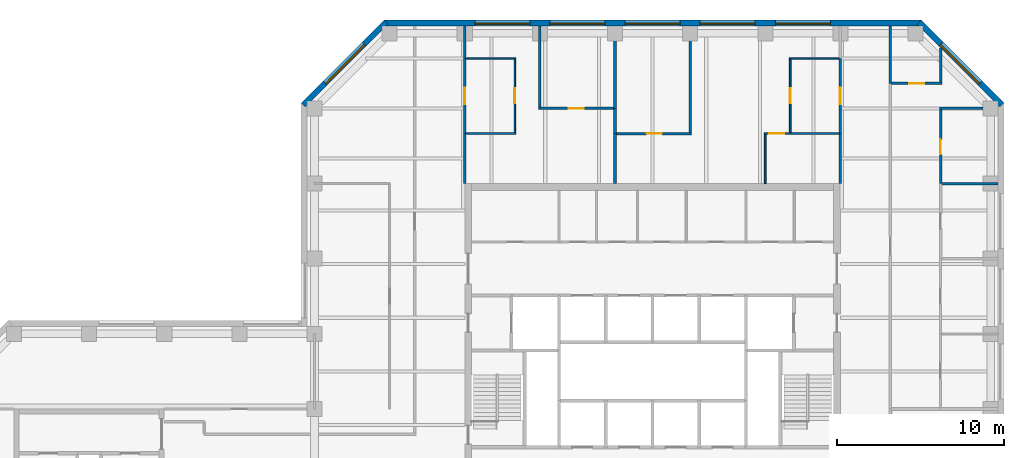
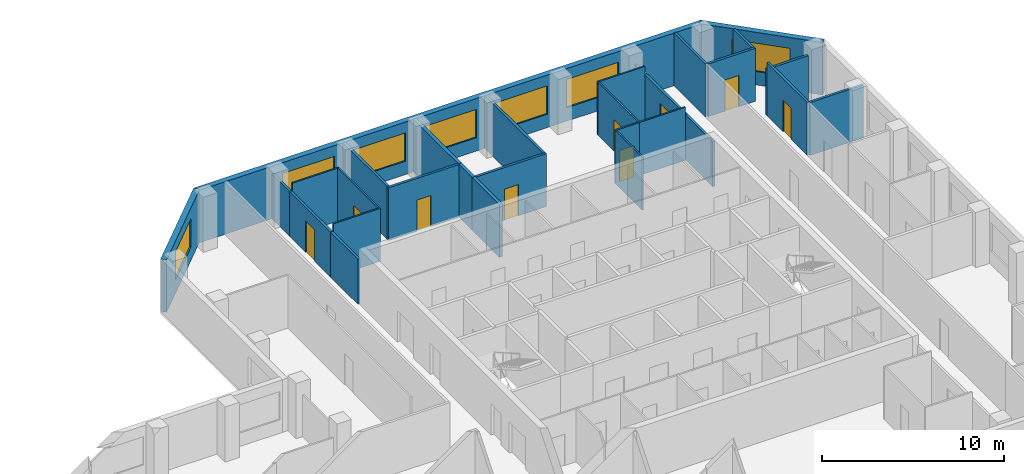
# One storey, part 7 of 9: 29 walls, 9 doors, 7 windows, 16 openings.
"""IFC4 building model written with IfcOpenShell, lengths in metres."""

from ifc_helpers import new_model, si_unit, direction, frame, frame_2d, origin, place, context, subcontext, project, spatial, rectangle, extrude, material, layer, layer_set, constituent, constituent_set, type_object, element, fill, save


model = new_model("IFC4")

# Units and contexts
model_context = context("Model", 3, precision=1e-05, world=origin(), true_north=direction((0.0, 1.0)))
body_context = subcontext(model_context, "Body", "Model", "MODEL_VIEW")
ifc_project = project(units=[si_unit("LENGTHUNIT", "METRE"), si_unit("AREAUNIT", "SQUARE_METRE"), si_unit("VOLUMEUNIT", "CUBIC_METRE"), si_unit("PLANEANGLEUNIT", "RADIAN"), si_unit("MASSUNIT", "GRAM", prefix="KILO")], contexts=[model_context])

# Site, building, storey
site_placement = place(None, origin())
site = spatial("IfcSite", under=ifc_project, at=site_placement, CompositionType="ELEMENT")
building_placement = place(site_placement, origin())
building = spatial("IfcBuilding", under=site, at=building_placement, Name="Quoin Convention Tower", CompositionType="ELEMENT")
storey_placement = place(building_placement, frame((0.0, 0.0, 226.699951171875)))
storey = spatial("IfcBuildingStorey", under=building, at=storey_placement, Name="L59", CompositionType="ELEMENT", Elevation=226.699951171875)

# Wall
ifc_material_1 = material(Name="Plasterboard")
ifc_layer_1 = layer(ifc_material_1, 0.012451171875, Name="Finish")
ifc_material_2 = material(Name="Steel stud framing", Category="steel")
ifc_layer_2 = layer(ifc_material_2, 0.125, Name="Structure")
ifc_layer_3 = layer(ifc_material_1, 0.012451171875, Name="Finish")
ifc_layer_set_1 = layer_set([ifc_layer_1, ifc_layer_2, ifc_layer_3], Name="Steel stud framing")
wall_type_1 = type_object("IfcWallType", Name="Acoustic partition 150", PredefinedType="PARTITIONING", material=ifc_layer_set_1)
wall_1_placement = place(storey_placement, frame((73.574951171875, 72.0, 0.0), z_axis=(0.0, 0.0, 1.0), x_axis=(1.0, 0.0, 0.0)))
element("IfcWall", 1, at=wall_1_placement, inside=storey, type_object=wall_type_1, Name="pw-L59-023", PredefinedType="PARTITIONING", context=body_context, shape_type="SweptSolid", body=[
    extrude(rectangle(XDim=3.375, YDim=0.14990234375, at=frame_2d((1.6875, 0.0))), origin(), (0.0, 0.0, 1.0), 3.550048828125),
])

# Wall, opening, door
wall_2_placement = place(storey_placement, frame((54.10009765625, 75.0, 0.0), z_axis=(0.0, 0.0, 1.0), x_axis=(1.0, 0.0, 0.0)))
wall_2 = element("IfcWall", 2, at=wall_2_placement, inside=storey, type_object=wall_type_1, Name="pw-L59-025", PredefinedType="PARTITIONING", context=body_context, shape_type="SweptSolid", body=[
    extrude(rectangle(XDim=4.474853515625, YDim=0.14990234375, at=frame_2d((2.2373046875, 0.0))), origin(), (0.0, 0.0, 1.0), 3.550048828125),
])
opening_1_placement = place(wall_2_placement, frame((1.800048828125, 0.0, 0.0)))
opening_1 = element("IfcOpeningElement", 3, at=opening_1_placement, cuts=wall_2, Name="Opening DOH10-04", PredefinedType="OPENING", context=body_context, shape_type="SweptSolid", body=[
    extrude(rectangle(XDim=0.89990234375, YDim=2.10009765625, at=frame_2d((0.449951171875, 1.050048828125))), frame((0.0, 0.0849609375, 0.0), z_axis=(0.0, -1.0, 0.0), x_axis=(1.0, 0.0, 0.0)), (0.0, 0.0, 1.0), 0.169921875),
])
ifc_material_3 = material(Name="Steel door leaf", Category="steel")
door_type_1 = type_object("IfcDoorType", Name="Office door 900 x 2100", OperationType="SINGLE_SWING_RIGHT", PredefinedType="DOOR", material=ifc_material_3)
door_1_placement = place(opening_1_placement, frame((0.89990234375, 0.0, 0.0), z_axis=(0.0, 0.0, 1.0), x_axis=(-1.0, 0.0, 0.0)))
door_1 = element("IfcDoor", 4, at=door_1_placement, inside=storey, type_object=door_type_1, Name="dr-L59-20", OperationType="SINGLE_SWING_LEFT", OverallHeight=2.10009765625, OverallWidth=0.89990234375, PredefinedType="DOOR", context=body_context, shape_type="SweptSolid", body=[
    extrude(rectangle(XDim=0.89990234375, YDim=2.10009765625, at=frame_2d((0.449951171875, 1.050048828125))), frame((0.0, 0.02490234375, 0.0), z_axis=(0.0, -1.0, 0.0), x_axis=(1.0, 0.0, 0.0)), (0.0, 0.0, 1.0), 0.050048828125),
])
fill(opening_1, door_1)

wall_3_placement = place(storey_placement, frame((49.425048828125, 76.5, 0.0), z_axis=(0.0, 0.0, 1.0), x_axis=(1.0, 0.0, 0.0)))
wall_3 = element("IfcWall", 5, at=wall_3_placement, inside=storey, type_object=wall_type_1, Name="pw-L59-028", PredefinedType="PARTITIONING", context=body_context, shape_type="SweptSolid", body=[
    extrude(rectangle(XDim=4.474853515625, YDim=0.14990234375, at=frame_2d((2.2373046875, 0.0))), origin(), (0.0, 0.0, 1.0), 3.550048828125),
])
opening_2_placement = place(wall_3_placement, frame((1.800048828125, 0.0, 0.0)))
opening_2 = element("IfcOpeningElement", 6, at=opening_2_placement, cuts=wall_3, Name="Opening DOH10-06", PredefinedType="OPENING", context=body_context, shape_type="SweptSolid", body=[
    extrude(rectangle(XDim=0.89990234375, YDim=2.10009765625, at=frame_2d((0.449951171875, 1.050048828125))), frame((0.0, 0.0849609375, 0.0), z_axis=(0.0, -1.0, 0.0), x_axis=(1.0, 0.0, 0.0)), (0.0, 0.0, 1.0), 0.169921875),
])
door_2_placement = place(opening_2_placement, frame((0.89990234375, 0.0, 0.0), z_axis=(0.0, 0.0, 1.0), x_axis=(-1.0, 0.0, 0.0)))
door_2 = element("IfcDoor", 7, at=door_2_placement, inside=storey, type_object=door_type_1, Name="dr-L59-17", OperationType="SINGLE_SWING_LEFT", OverallHeight=2.10009765625, OverallWidth=0.89990234375, PredefinedType="DOOR", context=body_context, shape_type="SweptSolid", body=[
    extrude(rectangle(XDim=0.89990234375, YDim=2.10009765625, at=frame_2d((0.449951171875, 1.050048828125))), frame((0.0, 0.02490234375, 0.0), z_axis=(0.0, -1.0, 0.0), x_axis=(1.0, 0.0, 0.0)), (0.0, 0.0, 1.0), 0.050048828125),
])
fill(opening_2, door_2)

wall_4_placement = place(storey_placement, frame((73.5, 72.0, 0.0), z_axis=(0.0, 0.0, 1.0), x_axis=(0.0, 1.0, 0.0)))
wall_4 = element("IfcWall", 8, at=wall_4_placement, inside=storey, type_object=wall_type_1, Name="pw-L59-070", PredefinedType="PARTITIONING", context=body_context, shape_type="SweptSolid", body=[
    extrude(rectangle(XDim=4.425048828125, YDim=0.14990234375, at=frame_2d((2.21240234375, 0.0))), origin(), (0.0, 0.0, 1.0), 3.550048828125),
])
opening_3_placement = place(wall_4_placement, frame((1.75, 0.0, 0.0)))
opening_3 = element("IfcOpeningElement", 9, at=opening_3_placement, cuts=wall_4, Name="Opening DOH10-19", PredefinedType="OPENING", context=body_context, shape_type="SweptSolid", body=[
    extrude(rectangle(XDim=0.89990234375, YDim=2.10009765625, at=frame_2d((0.449951171875, 1.050048828125))), frame((0.0, 0.0849609375, 0.0), z_axis=(0.0, -1.0, 0.0), x_axis=(1.0, 0.0, 0.0)), (0.0, 0.0, 1.0), 0.169921875),
])
door_3_placement = place(opening_3_placement, origin())
door_3 = element("IfcDoor", 10, at=door_3_placement, inside=storey, type_object=door_type_1, Name="dr-L59-30", OperationType="SINGLE_SWING_RIGHT", OverallHeight=2.10009765625, OverallWidth=0.89990234375, PredefinedType="DOOR", context=body_context, shape_type="SweptSolid", body=[
    extrude(rectangle(XDim=0.89990234375, YDim=2.10009765625, at=frame_2d((0.449951171875, 1.050048828125))), frame((0.0, 0.02490234375, 0.0), z_axis=(0.0, -1.0, 0.0), x_axis=(1.0, 0.0, 0.0)), (0.0, 0.0, 1.0), 0.050048828125),
])
fill(opening_3, door_3)

# Walls
wall_5_placement = place(storey_placement, frame((58.5, 75.074951171875, 0.0), z_axis=(0.0, 0.0, 1.0), x_axis=(0.0, 1.0, 0.0)))
element("IfcWall", 11, at=wall_5_placement, inside=storey, type_object=wall_type_1, Name="pw-L59-076", PredefinedType="PARTITIONING", context=body_context, shape_type="SweptSolid", body=[
    extrude(rectangle(XDim=6.375, YDim=0.14990234375, at=frame_2d((3.1875, 0.0))), origin(), (0.0, 0.0, 1.0), 3.550048828125),
])
wall_6_placement = place(storey_placement, frame((49.5, 76.574951171875, 0.0), z_axis=(0.0, 0.0, 1.0), x_axis=(0.0, 1.0, 0.0)))
element("IfcWall", 12, at=wall_6_placement, inside=storey, type_object=wall_type_1, Name="pw-L59-078", PredefinedType="PARTITIONING", context=body_context, shape_type="SweptSolid", body=[
    extrude(rectangle(XDim=4.875, YDim=0.14990234375, at=frame_2d((2.4375, 0.0))), origin(), (0.0, 0.0, 1.0), 3.550048828125),
])
ifc_layer_4 = layer(ifc_material_1, 0.012451171875, Name="Finish")
ifc_layer_5 = layer(ifc_material_2, 0.125, Name="Structure")
ifc_layer_6 = layer(ifc_material_1, 0.012451171875, Name="Finish")
ifc_layer_set_2 = layer_set([ifc_layer_4, ifc_layer_5, ifc_layer_6], Name="Steel stud framing")
wall_type_2 = type_object("IfcWallType", Name="Acoustic partition 150 under beam 454", PredefinedType="PARTITIONING", material=ifc_layer_set_2)
wall_7_placement = place(storey_placement, frame((73.425048828125, 76.5, 0.0), z_axis=(0.0, 0.0, 1.0), x_axis=(1.0, 0.0, 0.0)))
element("IfcWall", 13, at=wall_7_placement, inside=storey, type_object=wall_type_2, Name="pw-L59-029", PredefinedType="PARTITIONING", context=body_context, shape_type="SweptSolid", body=[
    extrude(rectangle(XDim=2.625, YDim=0.14990234375, at=frame_2d((1.3125, 0.0))), origin(), (0.0, 0.0, 1.0), 3.095947265625),
])

# Wall, opening, window
ifc_material_4 = material(Name="Brick masonry", Category="masonry")
ifc_layer_7 = layer(ifc_material_4, 0.35009765625)
ifc_layer_set_3 = layer_set([ifc_layer_7], Name="Brick masonry")
wall_type_3 = type_object("IfcWallType", Name="Brick facade wall", PredefinedType="STANDARD", material=ifc_layer_set_3)
wall_8_placement = place(storey_placement, frame((77.17626953125, 76.70751953125, 0.0), z_axis=(0.0, 0.0, 1.0), x_axis=(-0.707106781187, 0.707106781187, 0.0)))
wall_8 = element("IfcWall", 14, at=wall_8_placement, inside=storey, type_object=wall_type_3, Name="fw-L59-76500_76500", PredefinedType="STANDARD", context=body_context, shape_type="SweptSolid", body=[
    extrude(rectangle(XDim=7.02685546875, YDim=0.35009765625, at=frame_2d((3.513427734375, 0.0))), origin(), (0.0, 0.0, 1.0), 3.525146484375),
])
opening_4_placement = place(wall_8_placement, frame((1.86328125, 0.0, 0.89990234375)))
opening_4 = element("IfcOpeningElement", 15, at=opening_4_placement, cuts=wall_8, Name="Opening W-02", PredefinedType="OPENING", context=body_context, shape_type="SweptSolid", body=[
    extrude(rectangle(XDim=3.300048828125, YDim=1.89990234375, at=frame_2d((1.64990234375, 0.949951171875))), frame((0.0, 0.18505859375, 0.0), z_axis=(0.0, -1.0, 0.0), x_axis=(1.0, 0.0, 0.0)), (0.0, 0.0, 1.0), 0.3701171875),
])
ifc_material_5 = material(Name="Aluminium", Category="aluminium")
ifc_constituent_1 = constituent(ifc_material_5, Name="Frame")
ifc_material_6 = material(Name="Insulated glass", Category="glass")
ifc_constituent_2 = constituent(ifc_material_6, Name="Glazing")
ifc_constituent_set = constituent_set(constituents=[ifc_constituent_1, ifc_constituent_2], Name="Aluminium")
window_type = type_object("IfcWindowType", Name="Office window", PartitioningType="DOUBLE_PANEL_VERTICAL", PredefinedType="WINDOW", material=ifc_constituent_set)
window_1_placement = place(opening_4_placement, origin())
window_1 = element("IfcWindow", 16, at=window_1_placement, inside=storey, type_object=window_type, Name="win-L59-74692_79192", OverallHeight=1.89990234375, OverallWidth=3.300048828125, PartitioningType="SINGLE_PANEL", PredefinedType="WINDOW", context=body_context, shape_type="SweptSolid", body=[
    extrude(rectangle(XDim=3.300048828125, YDim=1.89990234375, at=frame_2d((1.64990234375, 0.949951171875))), frame((0.0, 0.0849609375, 0.0), z_axis=(0.0, -1.0, 0.0), x_axis=(1.0, 0.0, 0.0)), (0.0, 0.0, 1.0), 0.06005859375),
])
fill(opening_4, window_1)

# Wall, openings, windows
wall_9_placement = place(storey_placement, frame((72.331298828125, 81.625, 0.0), z_axis=(0.0, 0.0, 1.0), x_axis=(-1.0, 0.0, 0.0)))
wall_9 = element("IfcWall", 17, at=wall_9_placement, inside=storey, type_object=wall_type_3, Name="fw-L59-72000_81000", PredefinedType="STANDARD", context=body_context, shape_type="SweptSolid", body=[
    extrude(rectangle(XDim=32.16259765625, YDim=0.35009765625, at=frame_2d((16.081298828125, 0.0))), origin(), (0.0, 0.0, 1.0), 3.525146484375),
])
opening_5_placement = place(wall_9_placement, frame((5.431396484375, 0.0, 0.89990234375)))
opening_5 = element("IfcOpeningElement", 18, at=opening_5_placement, cuts=wall_9, Name="Opening W-02", PredefinedType="OPENING", context=body_context, shape_type="SweptSolid", body=[
    extrude(rectangle(XDim=3.300048828125, YDim=1.89990234375, at=frame_2d((1.64990234375, 0.949951171875))), frame((0.0, 0.18505859375, 0.0), z_axis=(0.0, -1.0, 0.0), x_axis=(1.0, 0.0, 0.0)), (0.0, 0.0, 1.0), 0.3701171875),
])
opening_6_placement = place(wall_9_placement, frame((9.931396484375, 0.0, 0.89990234375)))
opening_6 = element("IfcOpeningElement", 19, at=opening_6_placement, cuts=wall_9, Name="Opening W-02", PredefinedType="OPENING", context=body_context, shape_type="SweptSolid", body=[
    extrude(rectangle(XDim=3.300048828125, YDim=1.89990234375, at=frame_2d((1.64990234375, 0.949951171875))), frame((0.0, 0.18505859375, 0.0), z_axis=(0.0, -1.0, 0.0), x_axis=(1.0, 0.0, 0.0)), (0.0, 0.0, 1.0), 0.3701171875),
])
opening_7_placement = place(wall_9_placement, frame((14.431396484375, 0.0, 0.89990234375)))
opening_7 = element("IfcOpeningElement", 20, at=opening_7_placement, cuts=wall_9, Name="Opening W-02", PredefinedType="OPENING", context=body_context, shape_type="SweptSolid", body=[
    extrude(rectangle(XDim=3.300048828125, YDim=1.89990234375, at=frame_2d((1.64990234375, 0.949951171875))), frame((0.0, 0.18505859375, 0.0), z_axis=(0.0, -1.0, 0.0), x_axis=(1.0, 0.0, 0.0)), (0.0, 0.0, 1.0), 0.3701171875),
])
opening_8_placement = place(wall_9_placement, frame((18.931396484375, 0.0, 0.89990234375)))
opening_8 = element("IfcOpeningElement", 21, at=opening_8_placement, cuts=wall_9, Name="Opening W-02", PredefinedType="OPENING", context=body_context, shape_type="SweptSolid", body=[
    extrude(rectangle(XDim=3.300048828125, YDim=1.89990234375, at=frame_2d((1.64990234375, 0.949951171875))), frame((0.0, 0.18505859375, 0.0), z_axis=(0.0, -1.0, 0.0), x_axis=(1.0, 0.0, 0.0)), (0.0, 0.0, 1.0), 0.3701171875),
])
opening_9_placement = place(wall_9_placement, frame((23.431396484375, 0.0, 0.89990234375)))
opening_9 = element("IfcOpeningElement", 22, at=opening_9_placement, cuts=wall_9, Name="Opening W-02", PredefinedType="OPENING", context=body_context, shape_type="SweptSolid", body=[
    extrude(rectangle(XDim=3.300048828125, YDim=1.89990234375, at=frame_2d((1.64990234375, 0.949951171875))), frame((0.0, 0.18505859375, 0.0), z_axis=(0.0, -1.0, 0.0), x_axis=(1.0, 0.0, 0.0)), (0.0, 0.0, 1.0), 0.3701171875),
])
window_2_placement = place(opening_5_placement, origin())
window_2 = element("IfcWindow", 23, at=window_2_placement, inside=storey, type_object=window_type, Name="win-L59-65250_81625", OverallHeight=1.89990234375, OverallWidth=3.300048828125, PartitioningType="SINGLE_PANEL", PredefinedType="WINDOW", context=body_context, shape_type="SweptSolid", body=[
    extrude(rectangle(XDim=3.300048828125, YDim=1.89990234375, at=frame_2d((1.64990234375, 0.949951171875))), frame((0.0, 0.0849609375, 0.0), z_axis=(0.0, -1.0, 0.0), x_axis=(1.0, 0.0, 0.0)), (0.0, 0.0, 1.0), 0.06005859375),
])
fill(opening_5, window_2)
window_3_placement = place(opening_6_placement, origin())
window_3 = element("IfcWindow", 24, at=window_3_placement, inside=storey, type_object=window_type, Name="win-L59-60750_81625", OverallHeight=1.89990234375, OverallWidth=3.300048828125, PartitioningType="SINGLE_PANEL", PredefinedType="WINDOW", context=body_context, shape_type="SweptSolid", body=[
    extrude(rectangle(XDim=3.300048828125, YDim=1.89990234375, at=frame_2d((1.64990234375, 0.949951171875))), frame((0.0, 0.0849609375, 0.0), z_axis=(0.0, -1.0, 0.0), x_axis=(1.0, 0.0, 0.0)), (0.0, 0.0, 1.0), 0.06005859375),
])
fill(opening_6, window_3)
window_4_placement = place(opening_7_placement, origin())
window_4 = element("IfcWindow", 25, at=window_4_placement, inside=storey, type_object=window_type, Name="win-L59-56250_81625", OverallHeight=1.89990234375, OverallWidth=3.300048828125, PartitioningType="SINGLE_PANEL", PredefinedType="WINDOW", context=body_context, shape_type="SweptSolid", body=[
    extrude(rectangle(XDim=3.300048828125, YDim=1.89990234375, at=frame_2d((1.64990234375, 0.949951171875))), frame((0.0, 0.0849609375, 0.0), z_axis=(0.0, -1.0, 0.0), x_axis=(1.0, 0.0, 0.0)), (0.0, 0.0, 1.0), 0.06005859375),
])
fill(opening_7, window_4)
window_5_placement = place(opening_8_placement, origin())
window_5 = element("IfcWindow", 26, at=window_5_placement, inside=storey, type_object=window_type, Name="win-L59-51750_81625", OverallHeight=1.89990234375, OverallWidth=3.300048828125, PartitioningType="SINGLE_PANEL", PredefinedType="WINDOW", context=body_context, shape_type="SweptSolid", body=[
    extrude(rectangle(XDim=3.300048828125, YDim=1.89990234375, at=frame_2d((1.64990234375, 0.949951171875))), frame((0.0, 0.0849609375, 0.0), z_axis=(0.0, -1.0, 0.0), x_axis=(1.0, 0.0, 0.0)), (0.0, 0.0, 1.0), 0.06005859375),
])
fill(opening_8, window_5)
window_6_placement = place(opening_9_placement, origin())
window_6 = element("IfcWindow", 27, at=window_6_placement, inside=storey, type_object=window_type, Name="win-L59-47250_81625", OverallHeight=1.89990234375, OverallWidth=3.300048828125, PartitioningType="SINGLE_PANEL", PredefinedType="WINDOW", context=body_context, shape_type="SweptSolid", body=[
    extrude(rectangle(XDim=3.300048828125, YDim=1.89990234375, at=frame_2d((1.64990234375, 0.949951171875))), frame((0.0, 0.0849609375, 0.0), z_axis=(0.0, -1.0, 0.0), x_axis=(1.0, 0.0, 0.0)), (0.0, 0.0, 1.0), 0.06005859375),
])
fill(opening_9, window_6)

# Wall, opening, window
wall_10_placement = place(storey_placement, frame((40.29248046875, 81.67626953125, 0.0), z_axis=(0.0, 0.0, 1.0), x_axis=(-0.707106781187, -0.707106781187, 0.0)))
wall_10 = element("IfcWall", 28, at=wall_10_placement, inside=storey, type_object=wall_type_3, Name="fw-L59-40500_81000", PredefinedType="STANDARD", context=body_context, shape_type="SweptSolid", body=[
    extrude(rectangle(XDim=7.02685546875, YDim=0.35009765625, at=frame_2d((3.513427734375, 0.0))), origin(), (0.0, 0.0, 1.0), 3.525146484375),
])
opening_10_placement = place(wall_10_placement, frame((1.86328125, 0.0, 0.89990234375)))
opening_10 = element("IfcOpeningElement", 29, at=opening_10_placement, cuts=wall_10, Name="Opening W-02", PredefinedType="OPENING", context=body_context, shape_type="SweptSolid", body=[
    extrude(rectangle(XDim=3.300048828125, YDim=1.89990234375, at=frame_2d((1.64990234375, 0.949951171875))), frame((0.0, 0.18505859375, 0.0), z_axis=(0.0, -1.0, 0.0), x_axis=(1.0, 0.0, 0.0)), (0.0, 0.0, 1.0), 0.3701171875),
])
window_7_placement = place(opening_10_placement, origin())
window_7 = element("IfcWindow", 30, at=window_7_placement, inside=storey, type_object=window_type, Name="win-L59-37808_79192", OverallHeight=1.89990234375, OverallWidth=3.300048828125, PartitioningType="SINGLE_PANEL", PredefinedType="WINDOW", context=body_context, shape_type="SweptSolid", body=[
    extrude(rectangle(XDim=3.300048828125, YDim=1.89990234375, at=frame_2d((1.64990234375, 0.949951171875))), frame((0.0, 0.0849609375, 0.0), z_axis=(0.0, -1.0, 0.0), x_axis=(1.0, 0.0, 0.0)), (0.0, 0.0, 1.0), 0.06005859375),
])
fill(opening_10, window_7)

# Walls
ifc_layer_8 = layer(ifc_material_1, 0.012451171875, Name="Finish")
ifc_layer_9 = layer(ifc_material_2, 0.125, Name="Structure")
ifc_layer_10 = layer(ifc_material_1, 0.012451171875, Name="Finish")
ifc_layer_set_4 = layer_set([ifc_layer_8, ifc_layer_9, ifc_layer_10], Name="Steel stud framing")
wall_type_4 = type_object("IfcWallType", Name="Corridor wall 150", PredefinedType="PARTITIONING", material=ifc_layer_set_4)
wall_11_placement = place(storey_placement, frame((70.5, 78.0, 0.0), z_axis=(0.0, 0.0, 1.0), x_axis=(0.0, 1.0, 0.0)))
element("IfcWall", 31, at=wall_11_placement, inside=storey, type_object=wall_type_4, Name="pw-L59-079", PredefinedType="PARTITIONING", context=body_context, shape_type="SweptSolid", body=[
    extrude(rectangle(XDim=3.449951171875, YDim=0.14990234375, at=frame_2d((1.72509765625, 0.0))), origin(), (0.0, 0.0, 1.0), 3.550048828125),
])
ifc_layer_11 = layer(ifc_material_1, 0.012451171875, Name="Finish")
ifc_layer_12 = layer(ifc_material_2, 0.125, Name="Structure")
ifc_layer_13 = layer(ifc_material_1, 0.012451171875, Name="Finish")
ifc_layer_set_5 = layer_set([ifc_layer_11, ifc_layer_12, ifc_layer_13], Name="Steel stud framing")
wall_type_5 = type_object("IfcWallType", Name="Corridor wall 150 under beam 528", PredefinedType="PARTITIONING", material=ifc_layer_set_5)
for number, where, z_axis, x_axis, name in (
    (32, (45.0, 72.0, 0.0), (0.0, 0.0, 1.0), (0.0, 1.0, 0.0), "pw-L59-066"),
    (33, (67.5, 72.0, 0.0), (0.0, 0.0, 1.0), (0.0, 1.0, 0.0), "pw-L59-069"),
):
    element("IfcWall", number, at=place(storey_placement, frame(where, z_axis=z_axis, x_axis=x_axis)), inside=storey, type_object=wall_type_5, Name=name, PredefinedType="PARTITIONING", context=body_context, shape_type="SweptSolid", body=[
        extrude(rectangle(XDim=3.0, YDim=0.14990234375, at=frame_2d((1.5, 0.0))), origin(), (0.0, 0.0, 1.0), 3.02197265625),
    ])

# Wall, opening, door
wall_12_placement = place(storey_placement, frame((45.0, 75.0, 0.0), z_axis=(0.0, 0.0, 1.0), x_axis=(0.0, 1.0, 0.0)))
wall_12 = element("IfcWall", 34, at=wall_12_placement, inside=storey, type_object=wall_type_5, Name="pw-L59-071", PredefinedType="PARTITIONING", context=body_context, shape_type="SweptSolid", body=[
    extrude(rectangle(XDim=4.5, YDim=0.14990234375, at=frame_2d((2.25, 0.0))), origin(), (0.0, 0.0, 1.0), 3.02197265625),
])
opening_11_placement = place(wall_12_placement, frame((1.75, 0.0, 0.0)))
opening_11 = element("IfcOpeningElement", 35, at=opening_11_placement, cuts=wall_12, Name="Opening DOH10-20", PredefinedType="OPENING", context=body_context, shape_type="SweptSolid", body=[
    extrude(rectangle(XDim=1.0, YDim=2.10009765625, at=frame_2d((0.5, 1.050048828125))), frame((0.0, 0.0849609375, 0.0), z_axis=(0.0, -1.0, 0.0), x_axis=(1.0, 0.0, 0.0)), (0.0, 0.0, 1.0), 0.169921875),
])
door_type_2 = type_object("IfcDoorType", Name="Tenancy entrance door 1000 x 2100", OperationType="DOUBLE_DOOR_SINGLE_SWING", PredefinedType="DOOR", material=ifc_material_3)
door_4_placement = place(opening_11_placement, origin())
door_4 = element("IfcDoor", 36, at=door_4_placement, inside=storey, type_object=door_type_2, Name="dr-L59-15", OperationType="DOUBLE_DOOR_SINGLE_SWING", OverallHeight=2.10009765625, OverallWidth=1.0, PredefinedType="DOOR", context=body_context, shape_type="SweptSolid", body=[
    extrude(rectangle(XDim=1.0, YDim=2.10009765625, at=frame_2d((0.5, 1.050048828125))), frame((0.0, 0.02490234375, 0.0), z_axis=(0.0, -1.0, 0.0), x_axis=(1.0, 0.0, 0.0)), (0.0, 0.0, 1.0), 0.050048828125),
])
fill(opening_11, door_4)

wall_13_placement = place(storey_placement, frame((67.5, 75.0, 0.0), z_axis=(0.0, 0.0, 1.0), x_axis=(0.0, 1.0, 0.0)))
wall_13 = element("IfcWall", 37, at=wall_13_placement, inside=storey, type_object=wall_type_5, Name="pw-L59-073", PredefinedType="PARTITIONING", context=body_context, shape_type="SweptSolid", body=[
    extrude(rectangle(XDim=4.5, YDim=0.14990234375, at=frame_2d((2.25, 0.0))), origin(), (0.0, 0.0, 1.0), 3.02197265625),
])
opening_12_placement = place(wall_13_placement, frame((1.75, 0.0, 0.0)))
opening_12 = element("IfcOpeningElement", 38, at=opening_12_placement, cuts=wall_13, Name="Opening DOH10-21", PredefinedType="OPENING", context=body_context, shape_type="SweptSolid", body=[
    extrude(rectangle(XDim=1.0, YDim=2.10009765625, at=frame_2d((0.5, 1.050048828125))), frame((0.0, 0.0849609375, 0.0), z_axis=(0.0, -1.0, 0.0), x_axis=(1.0, 0.0, 0.0)), (0.0, 0.0, 1.0), 0.169921875),
])
door_5_placement = place(opening_12_placement, frame((1.0, 0.0, 0.0), z_axis=(0.0, 0.0, 1.0), x_axis=(-1.0, 0.0, 0.0)))
door_5 = element("IfcDoor", 39, at=door_5_placement, inside=storey, type_object=door_type_2, Name="dr-L59-18", OperationType="DOUBLE_DOOR_SINGLE_SWING", OverallHeight=2.10009765625, OverallWidth=1.0, PredefinedType="DOOR", context=body_context, shape_type="SweptSolid", body=[
    extrude(rectangle(XDim=1.0, YDim=2.10009765625, at=frame_2d((0.5, 1.050048828125))), frame((0.0, 0.02490234375, 0.0), z_axis=(0.0, -1.0, 0.0), x_axis=(1.0, 0.0, 0.0)), (0.0, 0.0, 1.0), 0.050048828125),
])
fill(opening_12, door_5)

# Walls
wall_14_placement = place(storey_placement, frame((45.0, 79.5, 0.0), z_axis=(0.0, 0.0, 1.0), x_axis=(0.0, 1.0, 0.0)))
element("IfcWall", 40, at=wall_14_placement, inside=storey, type_object=wall_type_5, Name="pw-L59-081", PredefinedType="PARTITIONING", context=body_context, shape_type="SweptSolid", body=[
    extrude(rectangle(XDim=1.949951171875, YDim=0.14990234375, at=frame_2d((0.97509765625, 0.0))), origin(), (0.0, 0.0, 1.0), 3.02197265625),
])
ifc_layer_14 = layer(ifc_material_1, 0.012451171875, Name="Finish")
ifc_layer_15 = layer(ifc_material_2, 0.074951171875, Name="Structure")
ifc_layer_16 = layer(ifc_material_1, 0.012451171875, Name="Finish")
ifc_layer_set_6 = layer_set([ifc_layer_14, ifc_layer_15, ifc_layer_16], Name="Steel stud framing")
wall_type_6 = type_object("IfcWallType", Name="Stud partition 100", PredefinedType="PARTITIONING", material=ifc_layer_set_6)
wall_15_placement = place(storey_placement, frame((45.074951171875, 75.0, 0.0), z_axis=(0.0, 0.0, 1.0), x_axis=(1.0, 0.0, 0.0)))
element("IfcWall", 41, at=wall_15_placement, inside=storey, type_object=wall_type_6, Name="pw-L59-024", PredefinedType="PARTITIONING", context=body_context, shape_type="SweptSolid", body=[
    extrude(rectangle(XDim=2.97509765625, YDim=0.10009765625, at=frame_2d((1.487548828125, 0.0))), origin(), (0.0, 0.0, 1.0), 3.550048828125),
])

# Wall, opening, door
wall_16_placement = place(storey_placement, frame((62.949951171875, 75.0, 0.0), z_axis=(0.0, 0.0, 1.0), x_axis=(1.0, 0.0, 0.0)))
wall_16 = element("IfcWall", 42, at=wall_16_placement, inside=storey, type_object=wall_type_6, Name="pw-L59-026", PredefinedType="PARTITIONING", context=body_context, shape_type="SweptSolid", body=[
    extrude(rectangle(XDim=1.550048828125, YDim=0.10009765625, at=frame_2d((0.77490234375, 0.0))), origin(), (0.0, 0.0, 1.0), 3.550048828125),
])
opening_13_placement = place(wall_16_placement, frame((0.300048828125, 0.0, 0.0)))
opening_13 = element("IfcOpeningElement", 43, at=opening_13_placement, cuts=wall_16, Name="Opening DOH10-05", PredefinedType="OPENING", context=body_context, shape_type="SweptSolid", body=[
    extrude(rectangle(XDim=0.89990234375, YDim=2.10009765625, at=frame_2d((0.449951171875, 1.050048828125))), frame((0.0, 0.06005859375, 0.0), z_axis=(0.0, -1.0, 0.0), x_axis=(1.0, 0.0, 0.0)), (0.0, 0.0, 1.0), 0.1201171875),
])
door_6_placement = place(opening_13_placement, origin())
door_6 = element("IfcDoor", 44, at=door_6_placement, inside=storey, type_object=door_type_1, Name="dr-L59-21", OperationType="SINGLE_SWING_RIGHT", OverallHeight=2.10009765625, OverallWidth=0.89990234375, PredefinedType="DOOR", context=body_context, shape_type="SweptSolid", body=[
    extrude(rectangle(XDim=0.89990234375, YDim=2.10009765625, at=frame_2d((0.449951171875, 1.050048828125))), frame((0.0, 0.02490234375, 0.0), z_axis=(0.0, -1.0, 0.0), x_axis=(1.0, 0.0, 0.0)), (0.0, 0.0, 1.0), 0.050048828125),
])
fill(opening_13, door_6)

# Walls
wall_17_placement = place(storey_placement, frame((64.5, 75.0, 0.0), z_axis=(0.0, 0.0, 1.0), x_axis=(1.0, 0.0, 0.0)))
element("IfcWall", 45, at=wall_17_placement, inside=storey, type_object=wall_type_6, Name="pw-L59-027", PredefinedType="PARTITIONING", context=body_context, shape_type="SweptSolid", body=[
    extrude(rectangle(XDim=2.925048828125, YDim=0.10009765625, at=frame_2d((1.46240234375, 0.0))), origin(), (0.0, 0.0, 1.0), 3.550048828125),
])
for number, where, z_axis, x_axis, name in (
    (46, (45.074951171875, 79.5, 0.0), (0.0, 0.0, 1.0), (1.0, 0.0, 0.0), "pw-L59-031"),
    (47, (64.449951171875, 79.5, 0.0), (0.0, 0.0, 1.0), (1.0, 0.0, 0.0), "pw-L59-032"),
):
    element("IfcWall", number, at=place(storey_placement, frame(where, z_axis=z_axis, x_axis=x_axis)), inside=storey, type_object=wall_type_6, Name=name, PredefinedType="PARTITIONING", context=body_context, shape_type="SweptSolid", body=[
        extrude(rectangle(XDim=2.97509765625, YDim=0.10009765625, at=frame_2d((1.487548828125, 0.0))), origin(), (0.0, 0.0, 1.0), 3.550048828125),
    ])
wall_18_placement = place(storey_placement, frame((63.0, 72.0, 0.0), z_axis=(0.0, 0.0, 1.0), x_axis=(0.0, 1.0, 0.0)))
element("IfcWall", 48, at=wall_18_placement, inside=storey, type_object=wall_type_6, Name="pw-L59-068", PredefinedType="PARTITIONING", context=body_context, shape_type="SweptSolid", body=[
    extrude(rectangle(XDim=2.949951171875, YDim=0.10009765625, at=frame_2d((1.47509765625, 0.0))), origin(), (0.0, 0.0, 1.0), 3.550048828125),
])

# Wall, opening, door
wall_19_placement = place(storey_placement, frame((48.0, 75.050048828125, 0.0), z_axis=(0.0, 0.0, 1.0), x_axis=(0.0, 1.0, 0.0)))
wall_19 = element("IfcWall", 49, at=wall_19_placement, inside=storey, type_object=wall_type_6, Name="pw-L59-074", PredefinedType="PARTITIONING", context=body_context, shape_type="SweptSolid", body=[
    extrude(rectangle(XDim=4.39990234375, YDim=0.10009765625, at=frame_2d((2.199951171875, 0.0))), origin(), (0.0, 0.0, 1.0), 3.550048828125),
])
opening_14_placement = place(wall_19_placement, frame((1.75, 0.0, 0.0)))
opening_14 = element("IfcOpeningElement", 50, at=opening_14_placement, cuts=wall_19, Name="Opening DOH10-22", PredefinedType="OPENING", context=body_context, shape_type="SweptSolid", body=[
    extrude(rectangle(XDim=0.89990234375, YDim=2.10009765625, at=frame_2d((0.449951171875, 1.050048828125))), frame((0.0, 0.06005859375, 0.0), z_axis=(0.0, -1.0, 0.0), x_axis=(1.0, 0.0, 0.0)), (0.0, 0.0, 1.0), 0.1201171875),
])
door_7_placement = place(opening_14_placement, frame((0.89990234375, 0.0, 0.0), z_axis=(0.0, 0.0, 1.0), x_axis=(-1.0, 0.0, 0.0)))
door_7 = element("IfcDoor", 51, at=door_7_placement, inside=storey, type_object=door_type_1, Name="dr-L59-16", OperationType="SINGLE_SWING_LEFT", OverallHeight=2.10009765625, OverallWidth=0.89990234375, PredefinedType="DOOR", context=body_context, shape_type="SweptSolid", body=[
    extrude(rectangle(XDim=0.89990234375, YDim=2.10009765625, at=frame_2d((0.449951171875, 1.050048828125))), frame((0.0, 0.02490234375, 0.0), z_axis=(0.0, -1.0, 0.0), x_axis=(1.0, 0.0, 0.0)), (0.0, 0.0, 1.0), 0.050048828125),
])
fill(opening_14, door_7)

wall_20_placement = place(storey_placement, frame((64.5, 75.050048828125, 0.0), z_axis=(0.0, 0.0, 1.0), x_axis=(0.0, 1.0, 0.0)))
wall_20 = element("IfcWall", 52, at=wall_20_placement, inside=storey, type_object=wall_type_6, Name="pw-L59-075", PredefinedType="PARTITIONING", context=body_context, shape_type="SweptSolid", body=[
    extrude(rectangle(XDim=4.39990234375, YDim=0.10009765625, at=frame_2d((2.199951171875, 0.0))), origin(), (0.0, 0.0, 1.0), 3.550048828125),
])
opening_15_placement = place(wall_20_placement, frame((1.75, 0.0, 0.0)))
opening_15 = element("IfcOpeningElement", 53, at=opening_15_placement, cuts=wall_20, Name="Opening DOH10-23", PredefinedType="OPENING", context=body_context, shape_type="SweptSolid", body=[
    extrude(rectangle(XDim=0.89990234375, YDim=2.10009765625, at=frame_2d((0.449951171875, 1.050048828125))), frame((0.0, 0.06005859375, 0.0), z_axis=(0.0, -1.0, 0.0), x_axis=(1.0, 0.0, 0.0)), (0.0, 0.0, 1.0), 0.1201171875),
])
door_8_placement = place(opening_15_placement, origin())
door_8 = element("IfcDoor", 54, at=door_8_placement, inside=storey, type_object=door_type_1, Name="dr-L59-19", OperationType="SINGLE_SWING_RIGHT", OverallHeight=2.10009765625, OverallWidth=0.89990234375, PredefinedType="DOOR", context=body_context, shape_type="SweptSolid", body=[
    extrude(rectangle(XDim=0.89990234375, YDim=2.10009765625, at=frame_2d((0.449951171875, 1.050048828125))), frame((0.0, 0.02490234375, 0.0), z_axis=(0.0, -1.0, 0.0), x_axis=(1.0, 0.0, 0.0)), (0.0, 0.0, 1.0), 0.050048828125),
])
fill(opening_15, door_8)

# Walls
ifc_layer_17 = layer(ifc_material_1, 0.012451171875, Name="Finish")
ifc_layer_18 = layer(ifc_material_2, 0.175048828125, Name="Structure")
ifc_layer_19 = layer(ifc_material_1, 0.012451171875, Name="Finish")
ifc_layer_set_7 = layer_set([ifc_layer_17, ifc_layer_18, ifc_layer_19], Name="Steel stud framing")
wall_type_7 = type_object("IfcWallType", Name="Tenancy demising wall 200", PredefinedType="PARTITIONING", material=ifc_layer_set_7)
wall_21_placement = place(storey_placement, frame((54.0, 72.0, 0.0), z_axis=(0.0, 0.0, 1.0), x_axis=(0.0, 1.0, 0.0)))
element("IfcWall", 55, at=wall_21_placement, inside=storey, type_object=wall_type_7, Name="pw-L59-067", PredefinedType="PARTITIONING", context=body_context, shape_type="SweptSolid", body=[
    extrude(rectangle(XDim=3.0, YDim=0.199951171875, at=frame_2d((1.5, 0.0))), origin(), (0.0, 0.0, 1.0), 3.550048828125),
])
wall_22_placement = place(storey_placement, frame((54.0, 75.0, 0.0), z_axis=(0.0, 0.0, 1.0), x_axis=(0.0, 1.0, 0.0)))
element("IfcWall", 56, at=wall_22_placement, inside=storey, type_object=wall_type_7, Name="pw-L59-072", PredefinedType="PARTITIONING", context=body_context, shape_type="SweptSolid", body=[
    extrude(rectangle(XDim=1.5, YDim=0.199951171875, at=frame_2d((0.75, 0.0))), origin(), (0.0, 0.0, 1.0), 3.550048828125),
])
wall_23_placement = place(storey_placement, frame((54.0, 76.5, 0.0), z_axis=(0.0, 0.0, 1.0), x_axis=(0.0, 1.0, 0.0)))
element("IfcWall", 57, at=wall_23_placement, inside=storey, type_object=wall_type_7, Name="pw-L59-077", PredefinedType="PARTITIONING", context=body_context, shape_type="SweptSolid", body=[
    extrude(rectangle(XDim=4.949951171875, YDim=0.199951171875, at=frame_2d((2.47509765625, 0.0))), origin(), (0.0, 0.0, 1.0), 3.550048828125),
])

# Wall, opening, door
ifc_layer_20 = layer(ifc_material_1, 0.012451171875, Name="Finish")
ifc_layer_21 = layer(ifc_material_2, 0.125, Name="Structure")
ifc_layer_22 = layer(ifc_material_1, 0.012451171875, Name="Finish")
ifc_layer_set_8 = layer_set([ifc_layer_20, ifc_layer_21, ifc_layer_22], Name="Steel stud framing")
wall_type_8 = type_object("IfcWallType", Name="Wet area partition 150", PredefinedType="PARTITIONING", material=ifc_layer_set_8)
wall_24_placement = place(storey_placement, frame((70.574951171875, 78.0, 0.0), z_axis=(0.0, 0.0, 1.0), x_axis=(1.0, 0.0, 0.0)))
wall_24 = element("IfcWall", 58, at=wall_24_placement, inside=storey, type_object=wall_type_8, Name="pw-L59-030", PredefinedType="PARTITIONING", context=body_context, shape_type="SweptSolid", body=[
    extrude(rectangle(XDim=3.0, YDim=0.14990234375, at=frame_2d((1.5, 0.0))), origin(), (0.0, 0.0, 1.0), 3.550048828125),
])
opening_16_placement = place(wall_24_placement, frame((1.050048828125, 0.0, 0.0)))
opening_16 = element("IfcOpeningElement", 59, at=opening_16_placement, cuts=wall_24, Name="Opening DOH10-07", PredefinedType="OPENING", context=body_context, shape_type="SweptSolid", body=[
    extrude(rectangle(XDim=0.89990234375, YDim=2.10009765625, at=frame_2d((0.449951171875, 1.050048828125))), frame((0.0, 0.0849609375, 0.0), z_axis=(0.0, -1.0, 0.0), x_axis=(1.0, 0.0, 0.0)), (0.0, 0.0, 1.0), 0.169921875),
])
door_9_placement = place(opening_16_placement, frame((0.89990234375, 0.0, 0.0), z_axis=(0.0, 0.0, 1.0), x_axis=(-1.0, 0.0, 0.0)))
door_9 = element("IfcDoor", 60, at=door_9_placement, inside=storey, type_object=door_type_1, Name="dr-L59-28", OperationType="SINGLE_SWING_LEFT", OverallHeight=2.10009765625, OverallWidth=0.89990234375, PredefinedType="DOOR", context=body_context, shape_type="SweptSolid", body=[
    extrude(rectangle(XDim=0.89990234375, YDim=2.10009765625, at=frame_2d((0.449951171875, 1.050048828125))), frame((0.0, 0.02490234375, 0.0), z_axis=(0.0, -1.0, 0.0), x_axis=(1.0, 0.0, 0.0)), (0.0, 0.0, 1.0), 0.050048828125),
])
fill(opening_16, door_9)

# Wall
wall_25_placement = place(storey_placement, frame((73.5, 78.074951171875, 0.0), z_axis=(0.0, 0.0, 1.0), x_axis=(0.0, 1.0, 0.0)))
element("IfcWall", 61, at=wall_25_placement, inside=storey, type_object=wall_type_8, Name="pw-L59-080", PredefinedType="PARTITIONING", context=body_context, shape_type="SweptSolid", body=[
    extrude(rectangle(XDim=2.0615234375, YDim=0.14990234375, at=frame_2d((1.03076171875, 0.0))), origin(), (0.0, 0.0, 1.0), 3.550048828125),
])

save(model, "model.ifc")
